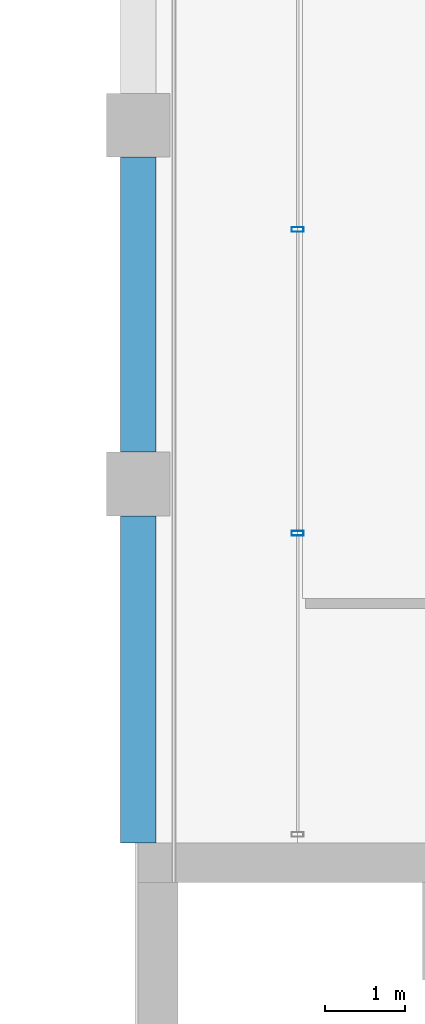
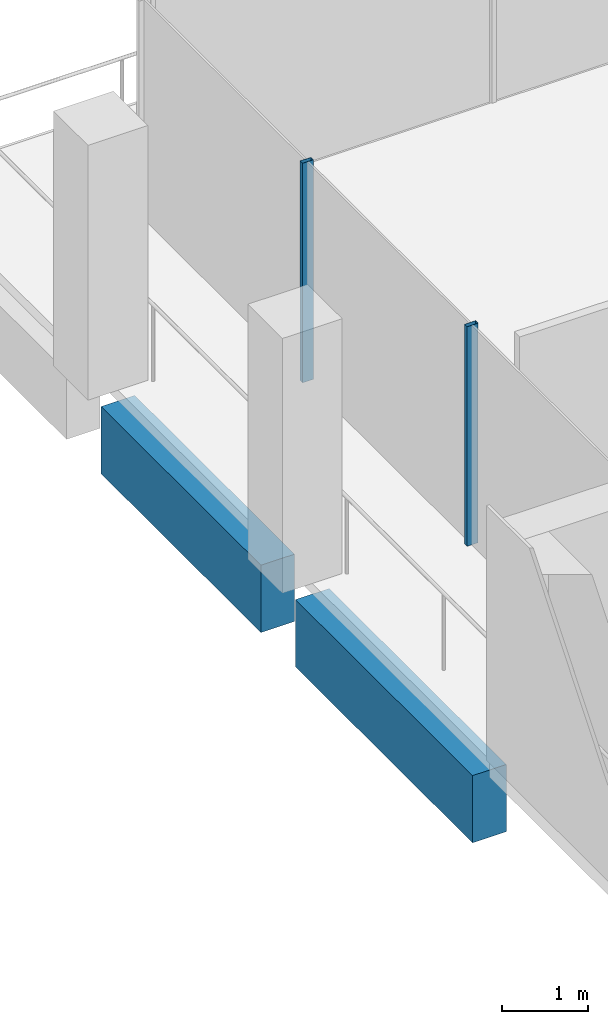
# One storey, part 20 of 41: 2 beams, 2 members, 1 element without a shape of its own.
"""IFC4 building model written with IfcOpenShell, lengths in metres."""

from ifc_helpers import new_model, si_unit, direction, frame, origin, origin_2d, place, context, subcontext, project, spatial, rectangle, hollow_rectangle, extrude, material, material_profile, profile_set, type_object, element, aggregate, save


model = new_model("IFC4")

# Units and contexts
model_context = context("Model", 3, precision=1e-05, world=origin(), true_north=direction((0.0, 1.0)))
body_context = subcontext(model_context, "Body", "Model", "MODEL_VIEW")
ifc_project = project(units=[si_unit("LENGTHUNIT", "METRE"), si_unit("AREAUNIT", "SQUARE_METRE"), si_unit("VOLUMEUNIT", "CUBIC_METRE"), si_unit("PLANEANGLEUNIT", "RADIAN"), si_unit("MASSUNIT", "GRAM", prefix="KILO")], contexts=[model_context])

# Site, building, storey
site_placement = place(None, origin())
site = spatial("IfcSite", under=ifc_project, at=site_placement, CompositionType="ELEMENT")
building_placement = place(site_placement, origin())
building = spatial("IfcBuilding", under=site, at=building_placement, Name="Altepetl Exchange Towers", CompositionType="ELEMENT")
storey_placement = place(building_placement, frame((0.0, 0.0, 206.39990234375)))
storey = spatial("IfcBuildingStorey", under=building, at=storey_placement, Name="L52", CompositionType="ELEMENT", Elevation=206.39990234375)

# Curtain wall, members
ifc_material_1 = material(Name="Aluminium 6063-T6 glazing", Category="aluminium")
curtain_wall_type = type_object("IfcCurtainWallType", Name="Loggia glazing system", PredefinedType="NOTDEFINED", material=ifc_material_1)
curtain_wall_placement = place(storey_placement, origin())
curtain_wall = element("IfcCurtainWall", 1, at=curtain_wall_placement, inside=storey, type_object=curtain_wall_type, Name="CW1 run", PredefinedType="NOTDEFINED")
ifc_material_2 = material(Name="Aluminium 6063-T6", Category="aluminium")
ifc_material_profile_1 = material_profile(ifc_material_2, hollow_rectangle(XDim=0.06005859375, YDim=0.14990234375, WallThickness=0.0029296875, at=origin_2d()), Name="Mullion 60x150 aluminium")
ifc_profile_set_1 = profile_set([ifc_material_profile_1], Name="Aluminium 6063-T6")
member_type = type_object("IfcMemberType", Name="Mullion 60x150 aluminium", PredefinedType="MULLION", material=ifc_profile_set_1)
member_1_placement = place(storey_placement, frame((42.5, 66.191650390625, 0.0), z_axis=(0.0, 0.0, 1.0), x_axis=(0.0, -1.0, 0.0)))
member_1 = element("IfcMember", 2, at=member_1_placement, type_object=member_type, Name="MU1 mullion", PredefinedType="MULLION", context=body_context, shape_type="SweptSolid", body=[
    extrude(hollow_rectangle(XDim=0.06005859375, YDim=0.14990234375, WallThickness=0.0029296875, at=origin_2d()), origin(), (0.0, 0.0, 1.0), 3.10009765625),
])
member_2_placement = place(storey_placement, frame((42.5, 62.38330078125, 0.0), z_axis=(0.0, 0.0, 1.0), x_axis=(0.0, -1.0, 0.0)))
member_2 = element("IfcMember", 3, at=member_2_placement, type_object=member_type, Name="MU1 mullion", PredefinedType="MULLION", context=body_context, shape_type="SweptSolid", body=[
    extrude(hollow_rectangle(XDim=0.06005859375, YDim=0.14990234375, WallThickness=0.0029296875, at=origin_2d()), origin(), (0.0, 0.0, 1.0), 3.10009765625),
])
aggregate(curtain_wall, [member_1, member_2])

# Beams
ifc_material_3 = material(Name="Concrete C50/60 precast with tezontle facing", Category="concrete")
ifc_material_profile_2 = material_profile(ifc_material_3, rectangle(XDim=0.449951171875, YDim=0.949951171875, at=origin_2d()), Name="450 x 950")
ifc_profile_set_2 = profile_set([ifc_material_profile_2], Name="Concrete C50/60 precast with tezontle facing")
beam_type = type_object("IfcBeamType", Name="Spandrel beam 450x950 tezontle", PredefinedType="SPANDREL", material=ifc_profile_set_2)
beam_1_placement = place(storey_placement, frame((40.5, 67.10009765625, -0.625), z_axis=(0.0, -1.0, 0.0), x_axis=(1.0, 0.0, 0.0)))
element("IfcBeam", 4, at=beam_1_placement, inside=storey, type_object=beam_type, Name="sp:A:L52:031", PredefinedType="SPANDREL", context=body_context, shape_type="SweptSolid", body=[
    extrude(rectangle(XDim=0.449951171875, YDim=0.949951171875, at=origin_2d()), origin(), (0.0, 0.0, 1.0), 3.7001953125),
])
beam_2_placement = place(storey_placement, frame((40.5, 62.60009765625, -0.625), z_axis=(0.0, -1.0, 0.0), x_axis=(1.0, 0.0, 0.0)))
element("IfcBeam", 5, at=beam_2_placement, inside=storey, type_object=beam_type, Name="sp:A:L52:032", PredefinedType="SPANDREL", context=body_context, shape_type="SweptSolid", body=[
    extrude(rectangle(XDim=0.449951171875, YDim=0.949951171875, at=origin_2d()), origin(), (0.0, 0.0, 1.0), 4.10009765625),
])

save(model, "model.ifc")
